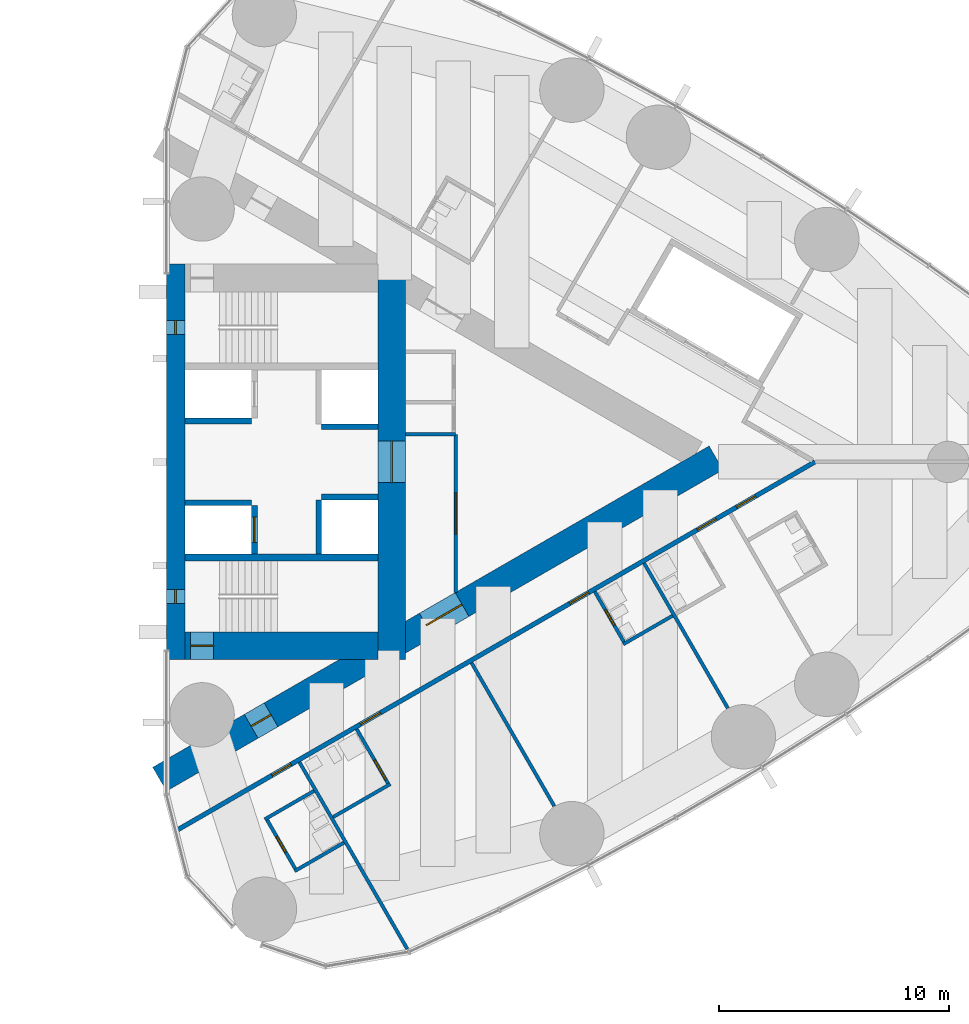
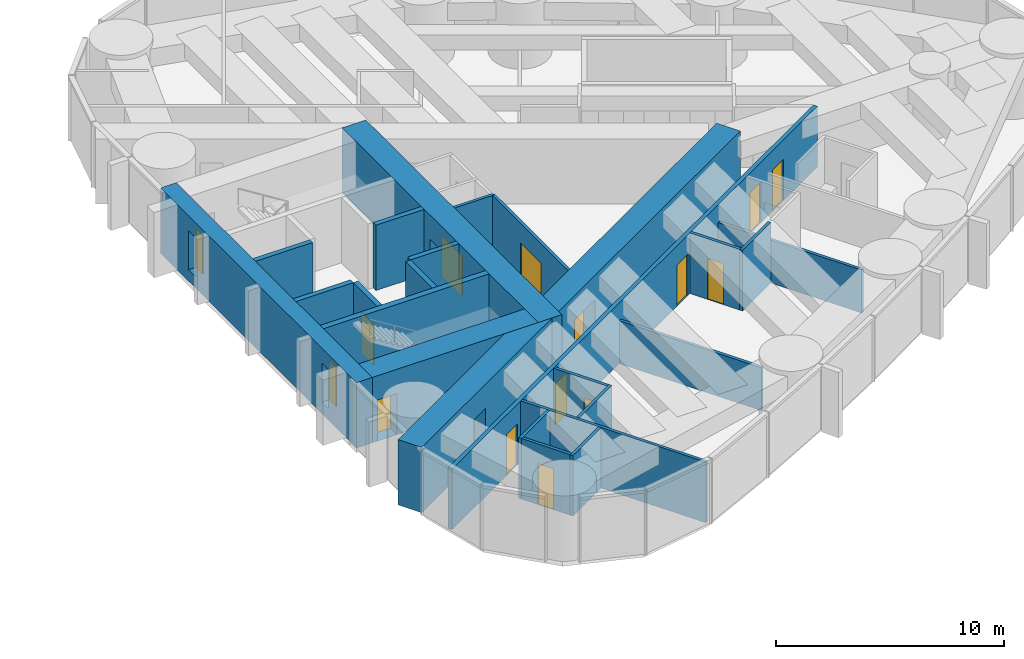
# One storey, part 14 of 19: 24 walls, 14 doors, 2 windows, 16 openings.
"""IFC4 building model written with IfcOpenShell, lengths in metres."""

from ifc_helpers import new_model, si_unit, direction, frame, frame_2d, origin, place, context, subcontext, project, spatial, rectangle, extrude, material, layer, layer_set, type_object, element, fill, save


model = new_model("IFC4")

# Units and contexts
model_context = context("Model", 3, precision=1e-05, world=origin(), true_north=direction((0.0, 1.0)))
body_context = subcontext(model_context, "Body", "Model", "MODEL_VIEW")
ifc_project = project(units=[si_unit("LENGTHUNIT", "METRE"), si_unit("AREAUNIT", "SQUARE_METRE"), si_unit("VOLUMEUNIT", "CUBIC_METRE"), si_unit("PLANEANGLEUNIT", "RADIAN"), si_unit("MASSUNIT", "GRAM", prefix="KILO")], contexts=[model_context])

# Site, building, storey
site_placement = place(None, origin())
site = spatial("IfcSite", under=ifc_project, at=site_placement, CompositionType="ELEMENT")
building_placement = place(site_placement, origin())
building = spatial("IfcBuilding", under=site, at=building_placement, Name="Lancet Gate Hotel", CompositionType="ELEMENT")
storey_placement = place(building_placement, frame((0.0, 0.0, 170.300048828125)))
storey = spatial("IfcBuildingStorey", under=building, at=storey_placement, Name="L45", CompositionType="ELEMENT", Elevation=170.300048828125)

# Wall
ifc_material_1 = material(Name="Moisture resistant board partition")
ifc_layer_1 = layer(ifc_material_1, 0.14990234375)
ifc_layer_set_1 = layer_set([ifc_layer_1], Name="Bathroom wall 150")
wall_type_1 = type_object("IfcWallType", Name="Bathroom wall 150", PredefinedType="PARTITIONING", material=ifc_layer_set_1)
wall_1_placement = place(storey_placement, frame((33.0751953125, -17.798095703125, 0.0), z_axis=(0.0, 0.0, 1.0), x_axis=(0.866006523861, 0.500032699561, 0.0)))
element("IfcWall", 1, at=wall_1_placement, inside=storey, type_object=wall_type_1, Name="T2 bathroom wall 150 L45", PredefinedType="PARTITIONING", context=body_context, shape_type="SweptSolid", body=[
    extrude(rectangle(XDim=2.474853515625, YDim=0.14990234375, at=frame_2d((1.2373046875, 0.0))), origin(), (0.0, 0.0, 1.0), 3.25),
])

# Wall, opening, door
wall_2_placement = place(storey_placement, frame((31.840087890625, -15.5087890625, 0.0), z_axis=(0.0, 0.0, 1.0), x_axis=(0.500006934395, -0.866021400173, 0.0)))
wall_2 = element("IfcWall", 2, at=wall_2_placement, inside=storey, type_object=wall_type_1, Name="T2 bathroom wall 150 L45", PredefinedType="PARTITIONING", context=body_context, shape_type="SweptSolid", body=[
    extrude(rectangle(XDim=2.60009765625, YDim=0.14990234375, at=frame_2d((1.300048828125, 0.0))), origin(), (0.0, 0.0, 1.0), 3.25),
])
opening_1_placement = place(wall_2_placement, frame((0.89990234375, 0.0, 0.0)))
opening_1 = element("IfcOpeningElement", 3, at=opening_1_placement, cuts=wall_2, Name="Opening 4551-B", PredefinedType="OPENING", context=body_context, shape_type="SweptSolid", body=[
    extrude(rectangle(XDim=0.800048828125, YDim=2.199951171875, at=frame_2d((0.39990234375, 1.10009765625))), frame((0.0, 0.0849609375, 0.0), z_axis=(0.0, -1.0, 0.0), x_axis=(1.0, 0.0, 0.0)), (0.0, 0.0, 1.0), 0.169921875),
])
ifc_material_2 = material(Name="Timber door set", Category="wood")
door_type_1 = type_object("IfcDoorType", Name="Bathroom door 800", OperationType="SINGLE_SWING_RIGHT", PredefinedType="DOOR", material=ifc_material_2)
door_1_placement = place(opening_1_placement, origin())
door_1 = element("IfcDoor", 4, at=door_1_placement, inside=storey, type_object=door_type_1, Name="4551-B", OperationType="SINGLE_SWING_RIGHT", OverallHeight=2.199951171875, OverallWidth=0.800048828125, PredefinedType="DOOR", context=body_context, shape_type="SweptSolid", body=[
    extrude(rectangle(XDim=0.800048828125, YDim=2.199951171875, at=frame_2d((0.39990234375, 1.10009765625))), frame((0.0, 0.02490234375, 0.0), z_axis=(0.0, -1.0, 0.0), x_axis=(1.0, 0.0, 0.0)), (0.0, 0.0, 1.0), 0.050048828125),
])
fill(opening_1, door_1)

# Walls
wall_3_placement = place(storey_placement, frame((31.775146484375, -15.54638671875, 0.0), z_axis=(0.0, 0.0, 1.0), x_axis=(0.866031185235, 0.4999899861, 0.0)))
element("IfcWall", 5, at=wall_3_placement, inside=storey, type_object=wall_type_1, Name="T2 bathroom wall 150 L45", PredefinedType="PARTITIONING", context=body_context, shape_type="SweptSolid", body=[
    extrude(rectangle(XDim=2.47509765625, YDim=0.14990234375, at=frame_2d((1.237548828125, 0.0))), origin(), (0.0, 0.0, 1.0), 3.25),
])
wall_4_placement = place(storey_placement, frame((34.74853515625, -15.4462890625, 0.0), z_axis=(0.0, 0.0, 1.0), x_axis=(0.866018712932, 0.500011588718, 0.0)))
element("IfcWall", 6, at=wall_4_placement, inside=storey, type_object=wall_type_1, Name="T2 bathroom wall 150 L45", PredefinedType="PARTITIONING", context=body_context, shape_type="SweptSolid", body=[
    extrude(rectangle(XDim=2.875, YDim=0.14990234375, at=frame_2d((1.4375, 0.0))), origin(), (0.0, 0.0, 1.0), 3.25),
])

# Wall, opening, door
wall_5_placement = place(storey_placement, frame((35.7734375, -11.621337890625, 0.0), z_axis=(0.0, 0.0, 1.0), x_axis=(0.49998411664, -0.866034573852, 0.0)))
wall_5 = element("IfcWall", 7, at=wall_5_placement, inside=storey, type_object=wall_type_1, Name="T2 bathroom wall 150 L45", PredefinedType="PARTITIONING", context=body_context, shape_type="SweptSolid", body=[
    extrude(rectangle(XDim=2.7998046875, YDim=0.14990234375, at=frame_2d((1.39990234375, 0.0))), origin(), (0.0, 0.0, 1.0), 3.25),
])
opening_2_placement = place(wall_5_placement, frame((1.550048828125, 0.0, 0.0)))
opening_2 = element("IfcOpeningElement", 8, at=opening_2_placement, cuts=wall_5, Name="Opening 4552-B", PredefinedType="OPENING", context=body_context, shape_type="SweptSolid", body=[
    extrude(rectangle(XDim=1.0, YDim=2.199951171875, at=frame_2d((0.5, 1.10009765625))), frame((0.0, 0.0849609375, 0.0), z_axis=(0.0, -1.0, 0.0), x_axis=(1.0, 0.0, 0.0)), (0.0, 0.0, 1.0), 0.169921875),
])
ifc_material_3 = material(Name="Timber door set", Category="wood")
door_type_2 = type_object("IfcDoorType", Name="Accessible en-suite door 1000", OperationType="SINGLE_SWING_RIGHT", PredefinedType="DOOR", material=ifc_material_3)
door_2_placement = place(opening_2_placement, origin())
door_2 = element("IfcDoor", 9, at=door_2_placement, inside=storey, type_object=door_type_2, Name="4552-B", OperationType="SINGLE_SWING_RIGHT", OverallHeight=2.199951171875, OverallWidth=1.0, PredefinedType="DOOR", context=body_context, shape_type="SweptSolid", body=[
    extrude(rectangle(XDim=1.0, YDim=2.199951171875, at=frame_2d((0.5, 1.10009765625))), frame((0.0, 0.02490234375, 0.0), z_axis=(0.0, -1.0, 0.0), x_axis=(1.0, 0.0, 0.0)), (0.0, 0.0, 1.0), 0.050048828125),
])
fill(opening_2, door_2)

# Wall
wall_6_placement = place(storey_placement, frame((47.3662109375, -7.930419921875, 0.0), z_axis=(0.0, 0.0, 1.0), x_axis=(0.866031185235, 0.4999899861, 0.0)))
element("IfcWall", 10, at=wall_6_placement, inside=storey, type_object=wall_type_1, Name="T2 bathroom wall 150 L45", PredefinedType="PARTITIONING", context=body_context, shape_type="SweptSolid", body=[
    extrude(rectangle(XDim=2.47509765625, YDim=0.14990234375, at=frame_2d((1.237548828125, 0.0))), origin(), (0.0, 0.0, 1.0), 3.25),
])

# Wall, opening, door
wall_7_placement = place(storey_placement, frame((46.13134765625, -5.641357421875, 0.0), z_axis=(0.0, 0.0, 1.0), x_axis=(0.49997716683, -0.86603858612, 0.0)))
wall_7 = element("IfcWall", 11, at=wall_7_placement, inside=storey, type_object=wall_type_1, Name="T2 bathroom wall 150 L45", PredefinedType="PARTITIONING", context=body_context, shape_type="SweptSolid", body=[
    extrude(rectangle(XDim=2.599609375, YDim=0.14990234375, at=frame_2d((1.2998046875, 0.0))), origin(), (0.0, 0.0, 1.0), 3.25),
])
opening_3_placement = place(wall_7_placement, frame((0.89990234375, 0.0, 0.0)))
opening_3 = element("IfcOpeningElement", 12, at=opening_3_placement, cuts=wall_7, Name="Opening 4554-B", PredefinedType="OPENING", context=body_context, shape_type="SweptSolid", body=[
    extrude(rectangle(XDim=0.800048828125, YDim=2.199951171875, at=frame_2d((0.39990234375, 1.10009765625))), frame((0.0, 0.0849609375, 0.0), z_axis=(0.0, -1.0, 0.0), x_axis=(1.0, 0.0, 0.0)), (0.0, 0.0, 1.0), 0.169921875),
])
door_3_placement = place(opening_3_placement, origin())
door_3 = element("IfcDoor", 13, at=door_3_placement, inside=storey, type_object=door_type_1, Name="4554-B", OperationType="SINGLE_SWING_RIGHT", OverallHeight=2.199951171875, OverallWidth=0.800048828125, PredefinedType="DOOR", context=body_context, shape_type="SweptSolid", body=[
    extrude(rectangle(XDim=0.800048828125, YDim=2.199951171875, at=frame_2d((0.39990234375, 1.10009765625))), frame((0.0, 0.02490234375, 0.0), z_axis=(0.0, -1.0, 0.0), x_axis=(1.0, 0.0, 0.0)), (0.0, 0.0, 1.0), 0.050048828125),
])
fill(opening_3, door_3)

# Wall, openings, doors
ifc_material_4 = material(Name="Concrete C70/85", Category="concrete")
ifc_layer_2 = layer(ifc_material_4, 1.199951171875)
ifc_layer_set_2 = layer_set([ifc_layer_2], Name="Buttress wall 1200")
wall_type_2 = type_object("IfcWallType", Name="Buttress wall 1200", PredefinedType="SHEAR", material=ifc_layer_set_2)
wall_8_placement = place(storey_placement, frame((27.199951171875, -13.800048828125, 0.0), z_axis=(0.0, 0.0, 1.0), x_axis=(0.866027159892, 0.499996958321, 0.0)))
wall_8 = element("IfcWall", 14, at=wall_8_placement, inside=storey, type_object=wall_type_2, Name="T2 buttress wall S L45", PredefinedType="SHEAR", context=body_context, shape_type="SweptSolid", body=[
    extrude(rectangle(XDim=27.946533203125, YDim=1.199951171875, at=frame_2d((13.97314453125, 0.0))), origin(), (0.0, 0.0, 1.0), 3.5),
])
opening_4_placement = place(wall_8_placement, frame((4.60009765625, 0.0, 0.0)))
opening_4 = element("IfcOpeningElement", 15, at=opening_4_placement, cuts=wall_8, Name="Opening T2-L45-LS", PredefinedType="OPENING", context=body_context, shape_type="SweptSolid", body=[
    extrude(rectangle(XDim=1.0, YDim=2.199951171875, at=frame_2d((0.5, 1.10009765625))), frame((0.0, 0.60986328125, 0.0), z_axis=(0.0, -1.0, 0.0), x_axis=(1.0, 0.0, 0.0)), (0.0, 0.0, 1.0), 1.219970703125),
])
opening_5_placement = place(wall_8_placement, frame((13.39453125, 0.0, 0.0)))
opening_5 = element("IfcOpeningElement", 16, at=opening_5_placement, cuts=wall_8, Name="Opening T2-L45-LHS", PredefinedType="OPENING", context=body_context, shape_type="SweptSolid", body=[
    extrude(rectangle(XDim=1.800048828125, YDim=2.199951171875, at=frame_2d((0.89990234375, 1.10009765625))), frame((0.0, 0.60986328125, 0.0), z_axis=(0.0, -1.0, 0.0), x_axis=(1.0, 0.0, 0.0)), (0.0, 0.0, 1.0), 1.219970703125),
])
ifc_material_5 = material(Name="Timber door set", Category="wood")
door_type_3 = type_object("IfcDoorType", Name="Lobby double door 1800", OperationType="DOUBLE_DOOR_SINGLE_SWING", PredefinedType="DOOR", material=ifc_material_5)
door_4_placement = place(opening_5_placement, origin())
door_4 = element("IfcDoor", 17, at=door_4_placement, inside=storey, type_object=door_type_3, Name="T2-L45-LHS", OperationType="DOUBLE_DOOR_SINGLE_SWING", OverallHeight=2.199951171875, OverallWidth=1.800048828125, PredefinedType="DOOR", context=body_context, shape_type="SweptSolid", body=[
    extrude(rectangle(XDim=1.800048828125, YDim=2.199951171875, at=frame_2d((0.89990234375, 1.10009765625))), frame((0.0, 0.02490234375, 0.0), z_axis=(0.0, -1.0, 0.0), x_axis=(1.0, 0.0, 0.0)), (0.0, 0.0, 1.0), 0.050048828125),
])
fill(opening_5, door_4)
ifc_material_6 = material(Name="Timber door set", Category="wood")
door_type_4 = type_object("IfcDoorType", Name="Stair lobby door 1000", OperationType="SINGLE_SWING_LEFT", PredefinedType="DOOR", material=ifc_material_6)
door_5_placement = place(opening_4_placement, origin())
door_5 = element("IfcDoor", 18, at=door_5_placement, inside=storey, type_object=door_type_4, Name="T2-L45-LS", OperationType="SINGLE_SWING_LEFT", OverallHeight=2.199951171875, OverallWidth=1.0, PredefinedType="DOOR", context=body_context, shape_type="SweptSolid", body=[
    extrude(rectangle(XDim=1.0, YDim=2.199951171875, at=frame_2d((0.5, 1.10009765625))), frame((0.0, 0.02490234375, 0.0), z_axis=(0.0, -1.0, 0.0), x_axis=(1.0, 0.0, 0.0)), (0.0, 0.0, 1.0), 0.050048828125),
])
fill(opening_4, door_5)

# Wall, opening, door
ifc_material_7 = material(Name="Concrete C70/85", Category="concrete")
ifc_layer_3 = layer(ifc_material_7, 1.199951171875)
ifc_layer_set_3 = layer_set([ifc_layer_3], Name="Core wall 1200")
wall_type_3 = type_object("IfcWallType", Name="Core wall 1200", PredefinedType="SHEAR", material=ifc_layer_set_3)
wall_9_placement = place(storey_placement, frame((37.300048828125, -8.60009765625, 0.0), z_axis=(0.0, 0.0, 1.0), x_axis=(0.0, 1.0, 0.0)))
wall_9 = element("IfcWall", 19, at=wall_9_placement, inside=storey, type_object=wall_type_3, Name="T2 core wall back L45", PredefinedType="SHEAR", context=body_context, shape_type="SweptSolid", body=[
    extrude(rectangle(XDim=17.2001953125, YDim=1.199951171875, at=frame_2d((8.60009765625, 0.0))), origin(), (0.0, 0.0, 1.0), 3.5),
])
opening_6_placement = place(wall_9_placement, frame((7.699951171875, 0.0, 0.0)))
opening_6 = element("IfcOpeningElement", 20, at=opening_6_placement, cuts=wall_9, Name="Opening T2-L45-LL", PredefinedType="OPENING", context=body_context, shape_type="SweptSolid", body=[
    extrude(rectangle(XDim=1.800048828125, YDim=2.199951171875, at=frame_2d((0.89990234375, 1.10009765625))), frame((0.0, 0.60986328125, 0.0), z_axis=(0.0, -1.0, 0.0), x_axis=(1.0, 0.0, 0.0)), (0.0, 0.0, 1.0), 1.219970703125),
])
door_6_placement = place(opening_6_placement, origin())
door_6 = element("IfcDoor", 21, at=door_6_placement, inside=storey, type_object=door_type_3, Name="T2-L45-LL", OperationType="DOUBLE_DOOR_SINGLE_SWING", OverallHeight=2.199951171875, OverallWidth=1.800048828125, PredefinedType="DOOR", context=body_context, shape_type="SweptSolid", body=[
    extrude(rectangle(XDim=1.800048828125, YDim=2.199951171875, at=frame_2d((0.89990234375, 1.10009765625))), frame((0.0, 0.02490234375, 0.0), z_axis=(0.0, -1.0, 0.0), x_axis=(1.0, 0.0, 0.0)), (0.0, 0.0, 1.0), 0.050048828125),
])
fill(opening_6, door_6)

wall_10_placement = place(storey_placement, frame((28.300048828125, -8.0, 0.0), z_axis=(0.0, 0.0, 1.0), x_axis=(1.0, 0.0, 0.0)))
wall_10 = element("IfcWall", 22, at=wall_10_placement, inside=storey, type_object=wall_type_3, Name="T2 core wall side-S L45", PredefinedType="SHEAR", context=body_context, shape_type="SweptSolid", body=[
    extrude(rectangle(XDim=8.39990234375, YDim=1.199951171875, at=frame_2d((4.199951171875, 0.0))), origin(), (0.0, 0.0, 1.0), 3.5),
])
opening_7_placement = place(wall_10_placement, frame((0.25, 0.0, 0.0)))
opening_7 = element("IfcOpeningElement", 23, at=opening_7_placement, cuts=wall_10, Name="Opening T2-L45-ST1", PredefinedType="OPENING", context=body_context, shape_type="SweptSolid", body=[
    extrude(rectangle(XDim=1.0, YDim=2.199951171875, at=frame_2d((0.5, 1.10009765625))), frame((0.0, 0.60986328125, 0.0), z_axis=(0.0, -1.0, 0.0), x_axis=(1.0, 0.0, 0.0)), (0.0, 0.0, 1.0), 1.219970703125),
])
ifc_material_8 = material(Name="Timber door set", Category="wood")
door_type_5 = type_object("IfcDoorType", Name="Stair door 1000", OperationType="SINGLE_SWING_RIGHT", PredefinedType="DOOR", material=ifc_material_8)
door_7_placement = place(opening_7_placement, origin())
door_7 = element("IfcDoor", 24, at=door_7_placement, inside=storey, type_object=door_type_5, Name="T2-L45-ST1", OperationType="SINGLE_SWING_RIGHT", OverallHeight=2.199951171875, OverallWidth=1.0, PredefinedType="DOOR", context=body_context, shape_type="SweptSolid", body=[
    extrude(rectangle(XDim=1.0, YDim=2.199951171875, at=frame_2d((0.5, 1.10009765625))), frame((0.0, 0.02490234375, 0.0), z_axis=(0.0, -1.0, 0.0), x_axis=(1.0, 0.0, 0.0)), (0.0, 0.0, 1.0), 0.050048828125),
])
fill(opening_7, door_7)

# Wall, openings, windows
ifc_material_9 = material(Name="Concrete C70/85", Category="concrete")
ifc_layer_4 = layer(ifc_material_9, 0.800048828125)
ifc_layer_set_4 = layer_set([ifc_layer_4], Name="Core wall 800")
wall_type_4 = type_object("IfcWallType", Name="Core wall 800", PredefinedType="SHEAR", material=ifc_layer_set_4)
wall_11_placement = place(storey_placement, frame((27.89990234375, -8.60009765625, 0.0), z_axis=(0.0, 0.0, 1.0), x_axis=(0.0, 1.0, 0.0)))
wall_11 = element("IfcWall", 25, at=wall_11_placement, inside=storey, type_object=wall_type_4, Name="T2 core wall front L45", PredefinedType="SHEAR", context=body_context, shape_type="SweptSolid", body=[
    extrude(rectangle(XDim=17.2001953125, YDim=0.800048828125, at=frame_2d((8.60009765625, 0.0))), origin(), (0.0, 0.0, 1.0), 3.5),
])
opening_8_placement = place(wall_11_placement, frame((2.449951171875, 0.0, 0.60009765625)))
opening_8 = element("IfcOpeningElement", 26, at=opening_8_placement, cuts=wall_11, Name="Opening LW1", PredefinedType="OPENING", context=body_context, shape_type="SweptSolid", body=[
    extrude(rectangle(XDim=0.60009765625, YDim=2.10009765625, at=frame_2d((0.300048828125, 1.050048828125))), frame((0.0, 0.409912109375, 0.0), z_axis=(0.0, -1.0, 0.0), x_axis=(1.0, 0.0, 0.0)), (0.0, 0.0, 1.0), 0.820068359375),
])
opening_9_placement = place(wall_11_placement, frame((14.14990234375, 0.0, 0.60009765625)))
opening_9 = element("IfcOpeningElement", 27, at=opening_9_placement, cuts=wall_11, Name="Opening LW1", PredefinedType="OPENING", context=body_context, shape_type="SweptSolid", body=[
    extrude(rectangle(XDim=0.60009765625, YDim=2.10009765625, at=frame_2d((0.300048828125, 1.050048828125))), frame((0.0, 0.409912109375, 0.0), z_axis=(0.0, -1.0, 0.0), x_axis=(1.0, 0.0, 0.0)), (0.0, 0.0, 1.0), 0.820068359375),
])
ifc_material_10 = material(Name="Fire-resisting glazed steel window", Category="steel")
window_type = type_object("IfcWindowType", Name="Lancet window 600x2100", PartitioningType="SINGLE_PANEL", PredefinedType="WINDOW", material=ifc_material_10)
window_1_placement = place(opening_8_placement, origin())
window_1 = element("IfcWindow", 28, at=window_1_placement, inside=storey, type_object=window_type, Name="T2 stair window S L45", OverallHeight=2.10009765625, OverallWidth=0.60009765625, PartitioningType="SINGLE_PANEL", PredefinedType="WINDOW", context=body_context, shape_type="SweptSolid", body=[
    extrude(rectangle(XDim=0.60009765625, YDim=2.10009765625, at=frame_2d((0.300048828125, 1.050048828125))), frame((0.0, 0.030029296875, 0.0), z_axis=(0.0, -1.0, 0.0), x_axis=(1.0, 0.0, 0.0)), (0.0, 0.0, 1.0), 0.06005859375),
])
fill(opening_8, window_1)
window_2_placement = place(opening_9_placement, origin())
window_2 = element("IfcWindow", 29, at=window_2_placement, inside=storey, type_object=window_type, Name="T2 stair window N L45", OverallHeight=2.10009765625, OverallWidth=0.60009765625, PartitioningType="SINGLE_PANEL", PredefinedType="WINDOW", context=body_context, shape_type="SweptSolid", body=[
    extrude(rectangle(XDim=0.60009765625, YDim=2.10009765625, at=frame_2d((0.300048828125, 1.050048828125))), frame((0.0, 0.030029296875, 0.0), z_axis=(0.0, -1.0, 0.0), x_axis=(1.0, 0.0, 0.0)), (0.0, 0.0, 1.0), 0.06005859375),
])
fill(opening_9, window_2)

# Wall, openings, doors
ifc_material_11 = material(Name="Gypsum board partition")
ifc_layer_5 = layer(ifc_material_11, 0.199951171875)
ifc_layer_set_5 = layer_set([ifc_layer_5], Name="Corridor wall 200")
wall_type_5 = type_object("IfcWallType", Name="Corridor wall 200", PredefinedType="PARTITIONING", material=ifc_layer_set_5)
wall_12_placement = place(storey_placement, frame((27.95947265625, -16.017333984375, 0.0), z_axis=(0.0, 0.0, 1.0), x_axis=(0.866024151371, 0.500002169237, 0.0)))
wall_12 = element("IfcWall", 30, at=wall_12_placement, inside=storey, type_object=wall_type_5, Name="T2 corridor wall 200 L45", PredefinedType="PARTITIONING", context=body_context, shape_type="SweptSolid", body=[
    extrude(rectangle(XDim=32.034423828125, YDim=0.199951171875, at=frame_2d((16.01708984375, 0.0))), origin(), (0.0, 0.0, 1.0), 3.25),
])
opening_10_placement = place(wall_12_placement, frame((4.764892578125, 0.0, 0.0)))
opening_10 = element("IfcOpeningElement", 31, at=opening_10_placement, cuts=wall_12, Name="Opening 4551-E", PredefinedType="OPENING", context=body_context, shape_type="SweptSolid", body=[
    extrude(rectangle(XDim=0.949951171875, YDim=2.199951171875, at=frame_2d((0.47509765625, 1.10009765625))), frame((0.0, 0.10986328125, 0.0), z_axis=(0.0, -1.0, 0.0), x_axis=(1.0, 0.0, 0.0)), (0.0, 0.0, 1.0), 0.219970703125),
])
opening_11_placement = place(wall_12_placement, frame((9.215087890625, 0.0, 0.0)))
opening_11 = element("IfcOpeningElement", 32, at=opening_11_placement, cuts=wall_12, Name="Opening 4552-E", PredefinedType="OPENING", context=body_context, shape_type="SweptSolid", body=[
    extrude(rectangle(XDim=1.0, YDim=2.199951171875, at=frame_2d((0.5, 1.10009765625))), frame((0.0, 0.10986328125, 0.0), z_axis=(0.0, -1.0, 0.0), x_axis=(1.0, 0.0, 0.0)), (0.0, 0.0, 1.0), 0.219970703125),
])
opening_12_placement = place(wall_12_placement, frame((19.72509765625, 0.0, 0.0)))
opening_12 = element("IfcOpeningElement", 33, at=opening_12_placement, cuts=wall_12, Name="Opening 4554-E", PredefinedType="OPENING", context=body_context, shape_type="SweptSolid", body=[
    extrude(rectangle(XDim=0.949951171875, YDim=2.199951171875, at=frame_2d((0.47509765625, 1.10009765625))), frame((0.0, 0.10986328125, 0.0), z_axis=(0.0, -1.0, 0.0), x_axis=(1.0, 0.0, 0.0)), (0.0, 0.0, 1.0), 0.219970703125),
])
opening_13_placement = place(wall_12_placement, frame((26.125244140625, 0.0, 0.0)))
opening_13 = element("IfcOpeningElement", 34, at=opening_13_placement, cuts=wall_12, Name="Opening 4556-E", PredefinedType="OPENING", context=body_context, shape_type="SweptSolid", body=[
    extrude(rectangle(XDim=0.949951171875, YDim=2.199951171875, at=frame_2d((0.47509765625, 1.10009765625))), frame((0.0, 0.10986328125, 0.0), z_axis=(0.0, -1.0, 0.0), x_axis=(1.0, 0.0, 0.0)), (0.0, 0.0, 1.0), 0.219970703125),
])
opening_14_placement = place(wall_12_placement, frame((28.10595703125, 0.0, 0.0)))
opening_14 = element("IfcOpeningElement", 35, at=opening_14_placement, cuts=wall_12, Name="Opening 4557-E", PredefinedType="OPENING", context=body_context, shape_type="SweptSolid", body=[
    extrude(rectangle(XDim=0.949951171875, YDim=2.199951171875, at=frame_2d((0.47509765625, 1.10009765625))), frame((0.0, 0.10986328125, 0.0), z_axis=(0.0, -1.0, 0.0), x_axis=(1.0, 0.0, 0.0)), (0.0, 0.0, 1.0), 0.219970703125),
])
ifc_material_12 = material(Name="Timber door set", Category="wood")
door_type_6 = type_object("IfcDoorType", Name="Accessible guest room door 1000", OperationType="SINGLE_SWING_LEFT", PredefinedType="DOOR", material=ifc_material_12)
door_8_placement = place(opening_11_placement, origin())
door_8 = element("IfcDoor", 36, at=door_8_placement, inside=storey, type_object=door_type_6, Name="4552-E", OperationType="SINGLE_SWING_LEFT", OverallHeight=2.199951171875, OverallWidth=1.0, PredefinedType="DOOR", context=body_context, shape_type="SweptSolid", body=[
    extrude(rectangle(XDim=1.0, YDim=2.199951171875, at=frame_2d((0.5, 1.10009765625))), frame((0.0, 0.02490234375, 0.0), z_axis=(0.0, -1.0, 0.0), x_axis=(1.0, 0.0, 0.0)), (0.0, 0.0, 1.0), 0.050048828125),
])
fill(opening_11, door_8)
ifc_material_13 = material(Name="Timber door set", Category="wood")
door_type_7 = type_object("IfcDoorType", Name="Guest room entry door 950", OperationType="SINGLE_SWING_LEFT", PredefinedType="DOOR", material=ifc_material_13)
door_9_placement = place(opening_10_placement, origin())
door_9 = element("IfcDoor", 37, at=door_9_placement, inside=storey, type_object=door_type_7, Name="4551-E", OperationType="SINGLE_SWING_LEFT", OverallHeight=2.199951171875, OverallWidth=0.949951171875, PredefinedType="DOOR", context=body_context, shape_type="SweptSolid", body=[
    extrude(rectangle(XDim=0.949951171875, YDim=2.199951171875, at=frame_2d((0.47509765625, 1.10009765625))), frame((0.0, 0.02490234375, 0.0), z_axis=(0.0, -1.0, 0.0), x_axis=(1.0, 0.0, 0.0)), (0.0, 0.0, 1.0), 0.050048828125),
])
fill(opening_10, door_9)
door_10_placement = place(opening_12_placement, origin())
door_10 = element("IfcDoor", 38, at=door_10_placement, inside=storey, type_object=door_type_7, Name="4554-E", OperationType="SINGLE_SWING_LEFT", OverallHeight=2.199951171875, OverallWidth=0.949951171875, PredefinedType="DOOR", context=body_context, shape_type="SweptSolid", body=[
    extrude(rectangle(XDim=0.949951171875, YDim=2.199951171875, at=frame_2d((0.47509765625, 1.10009765625))), frame((0.0, 0.02490234375, 0.0), z_axis=(0.0, -1.0, 0.0), x_axis=(1.0, 0.0, 0.0)), (0.0, 0.0, 1.0), 0.050048828125),
])
fill(opening_12, door_10)
door_11_placement = place(opening_13_placement, origin())
door_11 = element("IfcDoor", 39, at=door_11_placement, inside=storey, type_object=door_type_7, Name="4556-E", OperationType="SINGLE_SWING_LEFT", OverallHeight=2.199951171875, OverallWidth=0.949951171875, PredefinedType="DOOR", context=body_context, shape_type="SweptSolid", body=[
    extrude(rectangle(XDim=0.949951171875, YDim=2.199951171875, at=frame_2d((0.47509765625, 1.10009765625))), frame((0.0, 0.02490234375, 0.0), z_axis=(0.0, -1.0, 0.0), x_axis=(1.0, 0.0, 0.0)), (0.0, 0.0, 1.0), 0.050048828125),
])
fill(opening_13, door_11)
door_12_placement = place(opening_14_placement, origin())
door_12 = element("IfcDoor", 40, at=door_12_placement, inside=storey, type_object=door_type_7, Name="4557-E", OperationType="SINGLE_SWING_LEFT", OverallHeight=2.199951171875, OverallWidth=0.949951171875, PredefinedType="DOOR", context=body_context, shape_type="SweptSolid", body=[
    extrude(rectangle(XDim=0.949951171875, YDim=2.199951171875, at=frame_2d((0.47509765625, 1.10009765625))), frame((0.0, 0.02490234375, 0.0), z_axis=(0.0, -1.0, 0.0), x_axis=(1.0, 0.0, 0.0)), (0.0, 0.0, 1.0), 0.050048828125),
])
fill(opening_14, door_12)

# Wall, opening, door
ifc_material_14 = material(Name="Concrete C50/60", Category="concrete")
ifc_layer_6 = layer(ifc_material_14, 0.25)
ifc_layer_set_6 = layer_set([ifc_layer_6], Name="Lift shaft wall 250")
wall_type_6 = type_object("IfcWallType", Name="Lift shaft wall 250", PredefinedType="SHEAR", material=ifc_layer_set_6)
wall_13_placement = place(storey_placement, frame((31.324951171875, -4.0, 0.0), z_axis=(0.0, 0.0, 1.0), x_axis=(0.0, 1.0, 0.0)))
wall_13 = element("IfcWall", 41, at=wall_13_placement, inside=storey, type_object=wall_type_6, Name="T2 core wall row1-S L45", PredefinedType="SHEAR", context=body_context, shape_type="SweptSolid", body=[
    extrude(rectangle(XDim=2.10009765625, YDim=0.25, at=frame_2d((1.050048828125, 0.0))), origin(), (0.0, 0.0, 1.0), 3.5),
])
opening_15_placement = place(wall_13_placement, frame((0.5, 0.0, 0.0)))
opening_15 = element("IfcOpeningElement", 42, at=opening_15_placement, cuts=wall_13, Name="Opening T2-SL1-L45", PredefinedType="OPENING", context=body_context, shape_type="SweptSolid", body=[
    extrude(rectangle(XDim=1.10009765625, YDim=2.199951171875, at=frame_2d((0.550048828125, 1.10009765625))), frame((0.0, 0.135009765625, 0.0), z_axis=(0.0, -1.0, 0.0), x_axis=(1.0, 0.0, 0.0)), (0.0, 0.0, 1.0), 0.27001953125),
])
ifc_material_15 = material(Name="Timber door set", Category="wood")
door_type_8 = type_object("IfcDoorType", Name="Service lift landing door 1100", OperationType="SLIDING_TO_LEFT", PredefinedType="USERDEFINED", material=ifc_material_15)
door_13_placement = place(opening_15_placement, origin())
door_13 = element("IfcDoor", 43, at=door_13_placement, inside=storey, type_object=door_type_8, Name="T2-SL1-L45", ObjectType="LIFT LANDING DOOR", OperationType="SLIDING_TO_LEFT", OverallHeight=2.199951171875, OverallWidth=1.10009765625, PredefinedType="USERDEFINED", context=body_context, shape_type="SweptSolid", body=[
    extrude(rectangle(XDim=1.10009765625, YDim=2.199951171875, at=frame_2d((0.550048828125, 1.10009765625))), frame((0.0, 0.02490234375, 0.0), z_axis=(0.0, -1.0, 0.0), x_axis=(1.0, 0.0, 0.0)), (0.0, 0.0, 1.0), 0.050048828125),
])
fill(opening_15, door_13)

# Walls
wall_14_placement = place(storey_placement, frame((34.125, -4.0, 0.0), z_axis=(0.0, 0.0, 1.0), x_axis=(0.0, 1.0, 0.0)))
element("IfcWall", 44, at=wall_14_placement, inside=storey, type_object=wall_type_6, Name="T2 core wall row2-S L45", PredefinedType="SHEAR", context=body_context, shape_type="SweptSolid", body=[
    extrude(rectangle(XDim=2.35009765625, YDim=0.25, at=frame_2d((1.175048828125, 0.0))), origin(), (0.0, 0.0, 1.0), 3.5),
])
wall_15_placement = place(storey_placement, frame((28.300048828125, -1.77490234375, 0.0), z_axis=(0.0, 0.0, 1.0), x_axis=(1.0, 0.0, 0.0)))
element("IfcWall", 45, at=wall_15_placement, inside=storey, type_object=wall_type_6, Name="T2 core wall pass1-S L45", PredefinedType="SHEAR", context=body_context, shape_type="SweptSolid", body=[
    extrude(rectangle(XDim=2.89990234375, YDim=0.25, at=frame_2d((1.449951171875, 0.0))), origin(), (0.0, 0.0, 1.0), 3.5),
])
wall_16_placement = place(storey_placement, frame((34.25, -1.52490234375, 0.0), z_axis=(0.0, 0.0, 1.0), x_axis=(1.0, 0.0, 0.0)))
element("IfcWall", 46, at=wall_16_placement, inside=storey, type_object=wall_type_6, Name="T2 core wall pass2-S L45", PredefinedType="SHEAR", context=body_context, shape_type="SweptSolid", body=[
    extrude(rectangle(XDim=2.449951171875, YDim=0.25, at=frame_2d((1.22509765625, 0.0))), origin(), (0.0, 0.0, 1.0), 3.5),
])
wall_17_placement = place(storey_placement, frame((28.300048828125, 1.77490234375, 0.0), z_axis=(0.0, 0.0, 1.0), x_axis=(1.0, 0.0, 0.0)))
element("IfcWall", 47, at=wall_17_placement, inside=storey, type_object=wall_type_6, Name="T2 core wall pass1-N L45", PredefinedType="SHEAR", context=body_context, shape_type="SweptSolid", body=[
    extrude(rectangle(XDim=2.89990234375, YDim=0.25, at=frame_2d((1.449951171875, 0.0))), origin(), (0.0, 0.0, 1.0), 3.5),
])
wall_18_placement = place(storey_placement, frame((34.25, 1.52490234375, 0.0), z_axis=(0.0, 0.0, 1.0), x_axis=(1.0, 0.0, 0.0)))
element("IfcWall", 48, at=wall_18_placement, inside=storey, type_object=wall_type_6, Name="T2 core wall pass2-N L45", PredefinedType="SHEAR", context=body_context, shape_type="SweptSolid", body=[
    extrude(rectangle(XDim=2.449951171875, YDim=0.25, at=frame_2d((1.22509765625, 0.0))), origin(), (0.0, 0.0, 1.0), 3.5),
])
ifc_material_16 = material(Name="Gypsum board partition")
ifc_layer_7 = layer(ifc_material_16, 0.14990234375)
ifc_layer_set_7 = layer_set([ifc_layer_7], Name="Party wall 150")
wall_type_7 = type_object("IfcWallType", Name="Party wall 150", PredefinedType="PARTITIONING", material=ifc_layer_set_7)
wall_19_placement = place(storey_placement, frame((33.28369140625, -13.058837890625, 0.0), z_axis=(0.0, 0.0, 1.0), x_axis=(0.499985904184, -0.866033541855, 0.0)))
element("IfcWall", 49, at=wall_19_placement, inside=storey, type_object=wall_type_7, Name="T2 party wall 150 L45", PredefinedType="PARTITIONING", context=body_context, shape_type="SweptSolid", body=[
    extrude(rectangle(XDim=9.385498046875, YDim=0.14990234375, at=frame_2d((4.69287109375, 0.0))), origin(), (0.0, 0.0, 1.0), 3.25),
])
wall_20_placement = place(storey_placement, frame((40.769287109375, -8.737060546875, 0.0), z_axis=(0.0, 0.0, 1.0), x_axis=(0.500013115284, -0.866017831539, 0.0)))
element("IfcWall", 50, at=wall_20_placement, inside=storey, type_object=wall_type_7, Name="T2 party wall 150 L45", PredefinedType="PARTITIONING", context=body_context, shape_type="SweptSolid", body=[
    extrude(rectangle(XDim=7.197998046875, YDim=0.14990234375, at=frame_2d((3.59912109375, 0.0))), origin(), (0.0, 0.0, 1.0), 2.300048828125),
])
wall_21_placement = place(storey_placement, frame((48.274658203125, -4.40380859375, 0.0), z_axis=(0.0, 0.0, 1.0), x_axis=(0.500006004368, -0.866021937133, 0.0)))
element("IfcWall", 51, at=wall_21_placement, inside=storey, type_object=wall_type_7, Name="T2 party wall 150 L45", PredefinedType="PARTITIONING", context=body_context, shape_type="SweptSolid", body=[
    extrude(rectangle(XDim=7.279296875, YDim=0.14990234375, at=frame_2d((3.6396484375, 0.0))), origin(), (0.0, 0.0, 1.0), 2.300048828125),
])
ifc_material_17 = material(Name="Gypsum board partition")
ifc_layer_8 = layer(ifc_material_17, 0.14990234375)
ifc_layer_set_8 = layer_set([ifc_layer_8], Name="Service room wall 150")
wall_type_8 = type_object("IfcWallType", Name="Service room wall 150", PredefinedType="PARTITIONING", material=ifc_layer_set_8)
wall_22_placement = place(storey_placement, frame((37.89990234375, 1.199951171875, 0.0), z_axis=(0.0, 0.0, 1.0), x_axis=(1.0, 0.0, 0.0)))
element("IfcWall", 52, at=wall_22_placement, inside=storey, type_object=wall_type_8, Name="T2 service room wall 150 L45", PredefinedType="PARTITIONING", context=body_context, shape_type="SweptSolid", body=[
    extrude(rectangle(XDim=2.175048828125, YDim=0.14990234375, at=frame_2d((1.08740234375, 0.0))), origin(), (0.0, 0.0, 1.0), 3.25),
])

# Wall, opening, door
wall_23_placement = place(storey_placement, frame((40.074951171875, -5.673828125, 0.0), z_axis=(0.0, 0.0, 1.0), x_axis=(0.0, 1.0, 0.0)))
wall_23 = element("IfcWall", 53, at=wall_23_placement, inside=storey, type_object=wall_type_8, Name="T2 service room wall 150 L45", PredefinedType="PARTITIONING", context=body_context, shape_type="SweptSolid", body=[
    extrude(rectangle(XDim=6.873779296875, YDim=0.14990234375, at=frame_2d((3.43701171875, 0.0))), origin(), (0.0, 0.0, 1.0), 3.25),
])
opening_16_placement = place(wall_23_placement, frame((2.536865234375, 0.0, 0.0)))
opening_16 = element("IfcOpeningElement", 54, at=opening_16_placement, cuts=wall_23, Name="Opening T2-L45-LH", PredefinedType="OPENING", context=body_context, shape_type="SweptSolid", body=[
    extrude(rectangle(XDim=1.800048828125, YDim=2.199951171875, at=frame_2d((0.89990234375, 1.10009765625))), frame((0.0, 0.0849609375, 0.0), z_axis=(0.0, -1.0, 0.0), x_axis=(1.0, 0.0, 0.0)), (0.0, 0.0, 1.0), 0.169921875),
])
door_14_placement = place(opening_16_placement, origin())
door_14 = element("IfcDoor", 55, at=door_14_placement, inside=storey, type_object=door_type_3, Name="T2-L45-LH", OperationType="DOUBLE_DOOR_SINGLE_SWING", OverallHeight=2.199951171875, OverallWidth=1.800048828125, PredefinedType="DOOR", context=body_context, shape_type="SweptSolid", body=[
    extrude(rectangle(XDim=1.800048828125, YDim=2.199951171875, at=frame_2d((0.89990234375, 1.10009765625))), frame((0.0, 0.02490234375, 0.0), z_axis=(0.0, -1.0, 0.0), x_axis=(1.0, 0.0, 0.0)), (0.0, 0.0, 1.0), 0.050048828125),
])
fill(opening_16, door_14)

# Wall
ifc_material_18 = material(Name="Concrete C50/60", Category="concrete")
ifc_layer_9 = layer(ifc_material_18, 0.300048828125)
ifc_layer_set_9 = layer_set([ifc_layer_9], Name="Stair enclosure wall 300")
wall_type_9 = type_object("IfcWallType", Name="Stair enclosure wall 300", PredefinedType="SHEAR", material=ifc_layer_set_9)
wall_24_placement = place(storey_placement, frame((28.300048828125, -4.14990234375, 0.0), z_axis=(0.0, 0.0, 1.0), x_axis=(1.0, 0.0, 0.0)))
element("IfcWall", 56, at=wall_24_placement, inside=storey, type_object=wall_type_9, Name="T2 core wall stair-S L45", PredefinedType="SHEAR", context=body_context, shape_type="SweptSolid", body=[
    extrude(rectangle(XDim=8.39990234375, YDim=0.300048828125, at=frame_2d((4.199951171875, 0.0))), origin(), (0.0, 0.0, 1.0), 3.5),
])

save(model, "model.ifc")
